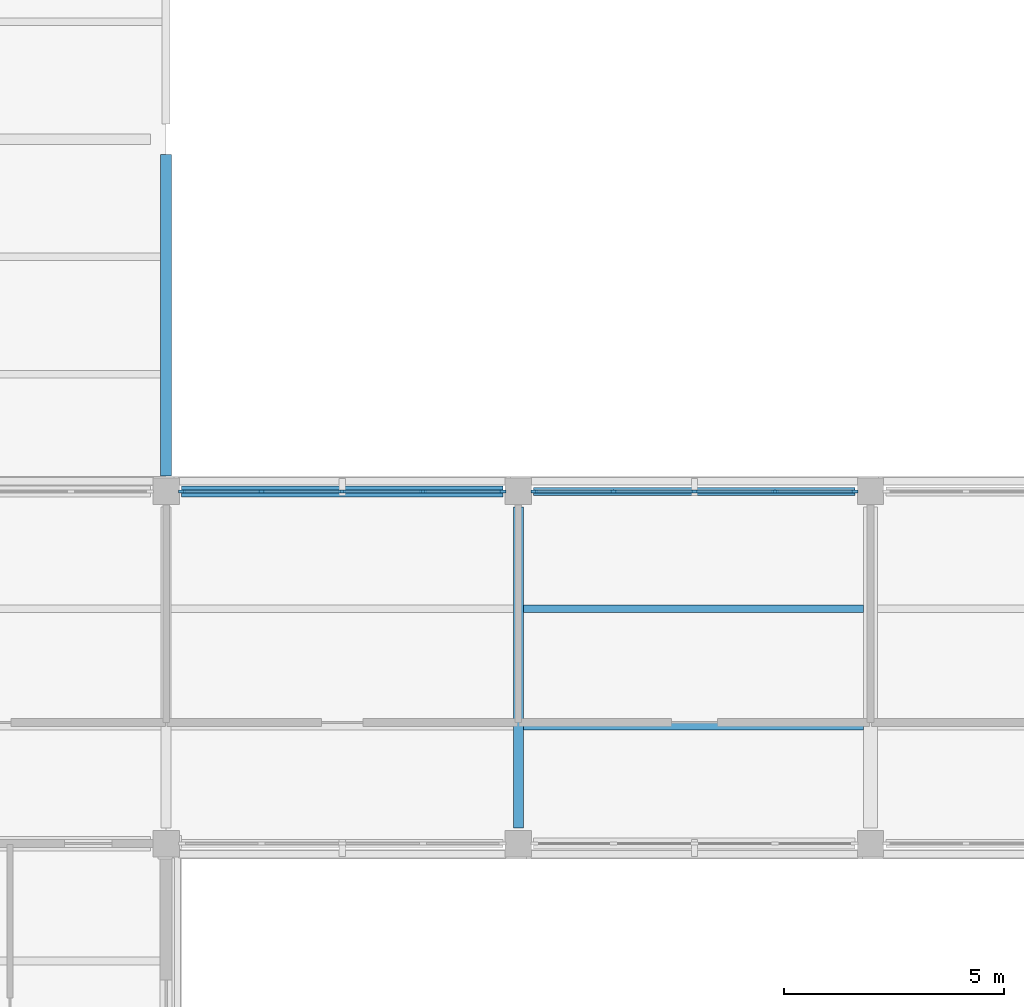
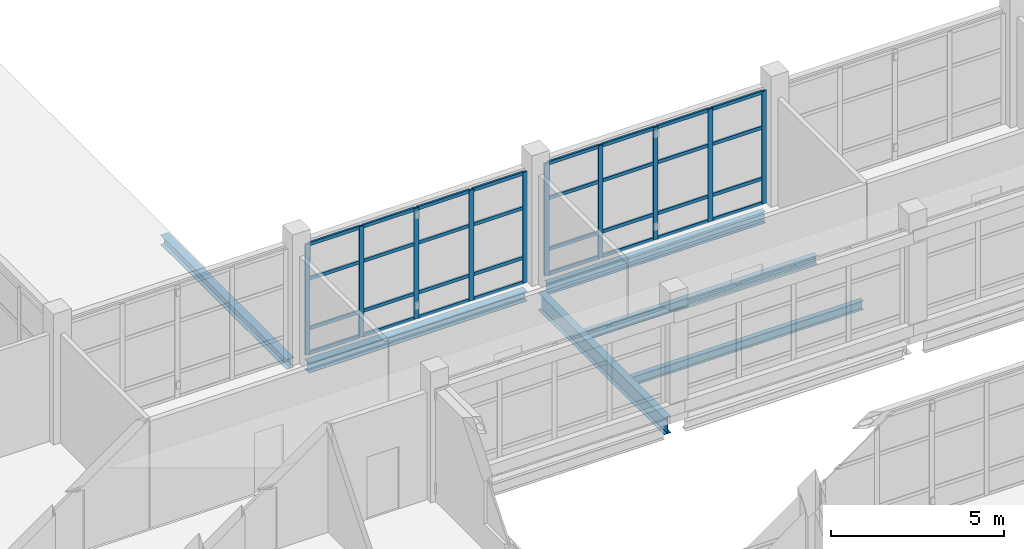
# One storey, part 17 of 121: 42 members, 6 beams, 2 elements without a shape of their own.
"""IFC4 building model written with IfcOpenShell, lengths in metres."""

from ifc_helpers import new_model, si_unit, derived_unit, direction, frame, origin, origin_2d, place, context, subcontext, project, spatial, rectangle, i_section, extrude, material, layer, layer_set, material_profile, profile_set, type_object, element, aggregate, save


model = new_model("IFC4")

# Units and contexts
model_context = context("Model", 3, precision=1e-05, world=origin(), true_north=direction((0.0, 1.0)))
body_context = subcontext(model_context, "Body", "Model", "MODEL_VIEW")
ifc_project = project(units=[si_unit("LENGTHUNIT", "METRE"), si_unit("AREAUNIT", "SQUARE_METRE"), si_unit("VOLUMEUNIT", "CUBIC_METRE"), si_unit("PLANEANGLEUNIT", "RADIAN"), si_unit("MASSUNIT", "GRAM", prefix="KILO"), derived_unit("THERMALTRANSMITTANCEUNIT", [(si_unit("MASSUNIT", "GRAM", prefix="KILO"), 1), (si_unit("TIMEUNIT", "SECOND"), -3), (si_unit("THERMODYNAMICTEMPERATUREUNIT", "KELVIN"), -1)])], contexts=[model_context])

# Site, building, storey
site_placement = place(None, origin())
site = spatial("IfcSite", under=ifc_project, at=site_placement, CompositionType="ELEMENT")
building_placement = place(site_placement, origin())
building = spatial("IfcBuilding", under=site, at=building_placement, Name="Veyamyaing Civic Hall", CompositionType="ELEMENT")
storey_placement = place(building_placement, frame((0.0, 0.0, 5.280029296875)))
storey = spatial("IfcBuildingStorey", under=building, at=storey_placement, Name="L01", CompositionType="ELEMENT", Elevation=5.280029296875)

# Beams
ifc_material_1 = material(Name="Steel ASTM A992", Category="steel")
ifc_material_profile_1 = material_profile(ifc_material_1, i_section(OverallWidth=0.22802734375, OverallDepth=0.60791015625, WebThickness=0.01123046875, FlangeThickness=0.017333984375, FilletRadius=0.012939453125, at=origin_2d()), Name="W610X113")
ifc_profile_set_1 = profile_set([ifc_material_profile_1], Name="Steel ASTM A992")
beam_type_1 = type_object("IfcBeamType", Name="B-06", PredefinedType="BEAM", material=ifc_profile_set_1)
beam_1_placement = place(storey_placement, frame((24.0, 48.35009765625, -0.549072265625), z_axis=(0.0, 1.0, 0.0), x_axis=(-1.0, 0.0, 0.0)))
element("IfcBeam", 1, at=beam_1_placement, inside=storey, type_object=beam_type_1, Name="Girder B-06 L01 Grid 4 G-H", PredefinedType="BEAM", context=body_context, shape_type="SweptSolid", body=[
    extrude(i_section(OverallWidth=0.22802734375, OverallDepth=0.60791015625, WebThickness=0.01123046875, FlangeThickness=0.017333984375, FilletRadius=0.012939453125, at=origin_2d()), origin(), (0.0, 0.0, 1.0), 7.2998046875),
])
ifc_material_profile_2 = material_profile(ifc_material_1, i_section(OverallWidth=0.179931640625, OverallDepth=0.4130859375, WebThickness=0.009765625, FlangeThickness=0.01611328125, FilletRadius=0.010009765625, at=origin_2d()), Name="W410X74")
ifc_profile_set_2 = profile_set([ifc_material_profile_2], Name="Steel ASTM A992")
beam_type_2 = type_object("IfcBeamType", Name="B-10", PredefinedType="SPANDREL", material=ifc_profile_set_2)
beam_2_placement = place(storey_placement, frame((24.35009765625, 56.0, -0.451416015625), z_axis=(1.0, 0.0, 0.0), x_axis=(0.0, 1.0, 0.0)))
element("IfcBeam", 2, at=beam_2_placement, inside=storey, type_object=beam_type_2, Name="Girder B-10 L01 Grid H 4-5", PredefinedType="SPANDREL", context=body_context, shape_type="SweptSolid", body=[
    extrude(i_section(OverallWidth=0.179931640625, OverallDepth=0.4130859375, WebThickness=0.009765625, FlangeThickness=0.01611328125, FilletRadius=0.010009765625, at=origin_2d()), origin(), (0.0, 0.0, 1.0), 7.2998046875),
])
ifc_material_profile_3 = material_profile(ifc_material_1, i_section(OverallWidth=0.25390625, OverallDepth=0.35302734375, WebThickness=0.009521484375, FlangeThickness=0.016357421875, FilletRadius=0.011962890625, at=origin_2d()), Name="W360X91")
ifc_profile_set_3 = profile_set([ifc_material_profile_3], Name="Steel ASTM A992")
beam_type_3 = type_object("IfcBeamType", Name="B-20", PredefinedType="SPANDREL", material=ifc_profile_set_3)
for number, where, z_axis, x_axis, name in (
    (3, (16.35009765625, 56.0, -0.421630859375), (1.0, 0.0, 0.0), (0.0, 1.0, 0.0), "Girder B-20 L01 Grid H 3-4"),
    (4, (16.0, 56.35009765625, -0.41650390625), (0.0, 1.0, 0.0), (-1.0, 0.0, 0.0), "Girder B-20 L01 Grid 3 H-J"),
):
    element("IfcBeam", number, at=place(storey_placement, frame(where, z_axis=z_axis, x_axis=x_axis)), inside=storey, type_object=beam_type_3, Name=name, PredefinedType="SPANDREL", context=body_context, shape_type="SweptSolid", body=[
        extrude(i_section(OverallWidth=0.25390625, OverallDepth=0.35302734375, WebThickness=0.009521484375, FlangeThickness=0.016357421875, FilletRadius=0.011962890625, at=origin_2d()), origin(), (0.0, 0.0, 1.0), 7.2998046875),
    ])

# Curtain wall, members
ifc_material_2 = material(Name="Anodised aluminium 6063-T6", Category="aluminium")
ifc_layer = layer(ifc_material_2, 0.159912109375, Name="Anodised aluminium 6063-T6")
ifc_layer_set = layer_set([ifc_layer], Name="Anodised aluminium 6063-T6")
curtain_wall_type = type_object("IfcCurtainWallType", Name="CW-02", PredefinedType="NOTDEFINED", material=ifc_layer_set)
curtain_wall_1_placement = place(storey_placement, origin())
curtain_wall_1 = element("IfcCurtainWall", 5, at=curtain_wall_1_placement, inside=storey, type_object=curtain_wall_type, Name="Unitized curtain wall CW-02 L01 N 3.7", PredefinedType="NOTDEFINED")
ifc_material_profile_4 = material_profile(ifc_material_2, rectangle(XDim=0.06494140625, YDim=0.159912109375, at=origin_2d()), Name="ALU-MUL-65X160")
ifc_profile_set_4 = profile_set([ifc_material_profile_4], Name="Anodised aluminium 6063-T6")
member_type_1 = type_object("IfcMemberType", Name="CWM-01", PredefinedType="MULLION", material=ifc_profile_set_4)
member_1_placement = place(storey_placement, frame((16.362548828125, 56.0, 0.0), z_axis=(0.0, 0.0, 1.0), x_axis=(0.0, 1.0, 0.0)))
member_1 = element("IfcMember", 6, at=member_1_placement, type_object=member_type_1, Name="CW-02 mullion 1", PredefinedType="MULLION", context=body_context, shape_type="SweptSolid", body=[
    extrude(rectangle(XDim=0.06494140625, YDim=0.159912109375, at=origin_2d()), origin(), (0.0, 0.0, 1.0), 3.9140625),
])
member_2_placement = place(storey_placement, frame((18.1650390625, 56.0, 0.0), z_axis=(0.0, 0.0, 1.0), x_axis=(0.0, 1.0, 0.0)))
member_2 = element("IfcMember", 7, at=member_2_placement, type_object=member_type_1, Name="CW-02 mullion 2", PredefinedType="MULLION", context=body_context, shape_type="SweptSolid", body=[
    extrude(rectangle(XDim=0.06494140625, YDim=0.159912109375, at=origin_2d()), origin(), (0.0, 0.0, 1.0), 3.9140625),
])
member_3_placement = place(storey_placement, frame((20.0, 56.0, 0.0), z_axis=(0.0, 0.0, 1.0), x_axis=(0.0, 1.0, 0.0)))
member_3 = element("IfcMember", 8, at=member_3_placement, type_object=member_type_1, Name="CW-02 mullion 3", PredefinedType="MULLION", context=body_context, shape_type="SweptSolid", body=[
    extrude(rectangle(XDim=0.06494140625, YDim=0.159912109375, at=origin_2d()), origin(), (0.0, 0.0, 1.0), 3.9140625),
])
member_4_placement = place(storey_placement, frame((21.8349609375, 56.0, 0.0), z_axis=(0.0, 0.0, 1.0), x_axis=(0.0, 1.0, 0.0)))
member_4 = element("IfcMember", 9, at=member_4_placement, type_object=member_type_1, Name="CW-02 mullion 4", PredefinedType="MULLION", context=body_context, shape_type="SweptSolid", body=[
    extrude(rectangle(XDim=0.06494140625, YDim=0.159912109375, at=origin_2d()), origin(), (0.0, 0.0, 1.0), 3.9140625),
])
member_5_placement = place(storey_placement, frame((23.637451171875, 56.0, 0.0), z_axis=(0.0, 0.0, 1.0), x_axis=(0.0, 1.0, 0.0)))
member_5 = element("IfcMember", 10, at=member_5_placement, type_object=member_type_1, Name="CW-02 mullion 5", PredefinedType="MULLION", context=body_context, shape_type="SweptSolid", body=[
    extrude(rectangle(XDim=0.06494140625, YDim=0.159912109375, at=origin_2d()), origin(), (0.0, 0.0, 1.0), 3.9140625),
])

curtain_wall_2_placement = place(storey_placement, origin())
curtain_wall_2 = element("IfcCurtainWall", 11, at=curtain_wall_2_placement, inside=storey, type_object=curtain_wall_type, Name="Unitized curtain wall CW-02 L01 N 4.7", PredefinedType="NOTDEFINED")
member_6_placement = place(storey_placement, frame((24.362548828125, 56.0, 0.0), z_axis=(0.0, 0.0, 1.0), x_axis=(0.0, 1.0, 0.0)))
member_6 = element("IfcMember", 12, at=member_6_placement, type_object=member_type_1, Name="CW-02 mullion 1", PredefinedType="MULLION", context=body_context, shape_type="SweptSolid", body=[
    extrude(rectangle(XDim=0.06494140625, YDim=0.159912109375, at=origin_2d()), origin(), (0.0, 0.0, 1.0), 3.97705078125),
])
member_7_placement = place(storey_placement, frame((26.1650390625, 56.0, 0.0), z_axis=(0.0, 0.0, 1.0), x_axis=(0.0, 1.0, 0.0)))
member_7 = element("IfcMember", 13, at=member_7_placement, type_object=member_type_1, Name="CW-02 mullion 2", PredefinedType="MULLION", context=body_context, shape_type="SweptSolid", body=[
    extrude(rectangle(XDim=0.06494140625, YDim=0.159912109375, at=origin_2d()), origin(), (0.0, 0.0, 1.0), 3.97705078125),
])
member_8_placement = place(storey_placement, frame((28.0, 56.0, 0.0), z_axis=(0.0, 0.0, 1.0), x_axis=(0.0, 1.0, 0.0)))
member_8 = element("IfcMember", 14, at=member_8_placement, type_object=member_type_1, Name="CW-02 mullion 3", PredefinedType="MULLION", context=body_context, shape_type="SweptSolid", body=[
    extrude(rectangle(XDim=0.06494140625, YDim=0.159912109375, at=origin_2d()), origin(), (0.0, 0.0, 1.0), 3.97705078125),
])
member_9_placement = place(storey_placement, frame((29.8349609375, 56.0, 0.0), z_axis=(0.0, 0.0, 1.0), x_axis=(0.0, 1.0, 0.0)))
member_9 = element("IfcMember", 15, at=member_9_placement, type_object=member_type_1, Name="CW-02 mullion 4", PredefinedType="MULLION", context=body_context, shape_type="SweptSolid", body=[
    extrude(rectangle(XDim=0.06494140625, YDim=0.159912109375, at=origin_2d()), origin(), (0.0, 0.0, 1.0), 3.97705078125),
])
member_10_placement = place(storey_placement, frame((31.637451171875, 56.0, 0.0), z_axis=(0.0, 0.0, 1.0), x_axis=(0.0, 1.0, 0.0)))
member_10 = element("IfcMember", 16, at=member_10_placement, type_object=member_type_1, Name="CW-02 mullion 5", PredefinedType="MULLION", context=body_context, shape_type="SweptSolid", body=[
    extrude(rectangle(XDim=0.06494140625, YDim=0.159912109375, at=origin_2d()), origin(), (0.0, 0.0, 1.0), 3.97705078125),
])

# Member
ifc_material_profile_5 = material_profile(ifc_material_2, rectangle(XDim=0.06494140625, YDim=0.1201171875, at=origin_2d()), Name="ALU-TRN-65X120")
ifc_profile_set_5 = profile_set([ifc_material_profile_5], Name="Anodised aluminium 6063-T6")
member_type_2 = type_object("IfcMemberType", Name="CWT-01", PredefinedType="USERDEFINED", material=ifc_profile_set_5)
member_11_placement = place(storey_placement, frame((16.39501953125, 56.0, 0.032470703125), z_axis=(1.0, 0.0, 0.0), x_axis=(0.0, 1.0, 0.0)))
member_11 = element("IfcMember", 17, at=member_11_placement, type_object=member_type_2, Name="CW-02 transom 1.1", ObjectType="TRANSOM", PredefinedType="USERDEFINED", context=body_context, shape_type="SweptSolid", body=[
    extrude(rectangle(XDim=0.06494140625, YDim=0.1201171875, at=origin_2d()), origin(), (0.0, 0.0, 1.0), 1.737548828125),
])

member_12_placement = place(storey_placement, frame((16.39501953125, 56.0, 0.89990234375), z_axis=(1.0, 0.0, 0.0), x_axis=(0.0, 1.0, 0.0)))
member_12 = element("IfcMember", 18, at=member_12_placement, type_object=member_type_2, Name="CW-02 transom 1.2", ObjectType="TRANSOM", PredefinedType="USERDEFINED", context=body_context, shape_type="SweptSolid", body=[
    extrude(rectangle(XDim=0.06494140625, YDim=0.1201171875, at=origin_2d()), origin(), (0.0, 0.0, 1.0), 1.737548828125),
])

member_13_placement = place(storey_placement, frame((16.39501953125, 56.0, 2.661376953125), z_axis=(1.0, 0.0, 0.0), x_axis=(0.0, 1.0, 0.0)))
member_13 = element("IfcMember", 19, at=member_13_placement, type_object=member_type_2, Name="CW-02 transom 1.3", ObjectType="TRANSOM", PredefinedType="USERDEFINED", context=body_context, shape_type="SweptSolid", body=[
    extrude(rectangle(XDim=0.06494140625, YDim=0.1201171875, at=origin_2d()), origin(), (0.0, 0.0, 1.0), 1.737548828125),
])

member_14_placement = place(storey_placement, frame((16.39501953125, 56.0, 3.881591796875), z_axis=(1.0, 0.0, 0.0), x_axis=(0.0, 1.0, 0.0)))
member_14 = element("IfcMember", 20, at=member_14_placement, type_object=member_type_2, Name="CW-02 transom 1.4", ObjectType="TRANSOM", PredefinedType="USERDEFINED", context=body_context, shape_type="SweptSolid", body=[
    extrude(rectangle(XDim=0.06494140625, YDim=0.1201171875, at=origin_2d()), origin(), (0.0, 0.0, 1.0), 1.737548828125),
])

member_15_placement = place(storey_placement, frame((18.197509765625, 56.0, 0.032470703125), z_axis=(1.0, 0.0, 0.0), x_axis=(0.0, 1.0, 0.0)))
member_15 = element("IfcMember", 21, at=member_15_placement, type_object=member_type_2, Name="CW-02 transom 2.1", ObjectType="TRANSOM", PredefinedType="USERDEFINED", context=body_context, shape_type="SweptSolid", body=[
    extrude(rectangle(XDim=0.06494140625, YDim=0.1201171875, at=origin_2d()), origin(), (0.0, 0.0, 1.0), 1.77001953125),
])

member_16_placement = place(storey_placement, frame((18.197509765625, 56.0, 0.89990234375), z_axis=(1.0, 0.0, 0.0), x_axis=(0.0, 1.0, 0.0)))
member_16 = element("IfcMember", 22, at=member_16_placement, type_object=member_type_2, Name="CW-02 transom 2.2", ObjectType="TRANSOM", PredefinedType="USERDEFINED", context=body_context, shape_type="SweptSolid", body=[
    extrude(rectangle(XDim=0.06494140625, YDim=0.1201171875, at=origin_2d()), origin(), (0.0, 0.0, 1.0), 1.77001953125),
])

member_17_placement = place(storey_placement, frame((18.197509765625, 56.0, 2.661376953125), z_axis=(1.0, 0.0, 0.0), x_axis=(0.0, 1.0, 0.0)))
member_17 = element("IfcMember", 23, at=member_17_placement, type_object=member_type_2, Name="CW-02 transom 2.3", ObjectType="TRANSOM", PredefinedType="USERDEFINED", context=body_context, shape_type="SweptSolid", body=[
    extrude(rectangle(XDim=0.06494140625, YDim=0.1201171875, at=origin_2d()), origin(), (0.0, 0.0, 1.0), 1.77001953125),
])

member_18_placement = place(storey_placement, frame((18.197509765625, 56.0, 3.881591796875), z_axis=(1.0, 0.0, 0.0), x_axis=(0.0, 1.0, 0.0)))
member_18 = element("IfcMember", 24, at=member_18_placement, type_object=member_type_2, Name="CW-02 transom 2.4", ObjectType="TRANSOM", PredefinedType="USERDEFINED", context=body_context, shape_type="SweptSolid", body=[
    extrude(rectangle(XDim=0.06494140625, YDim=0.1201171875, at=origin_2d()), origin(), (0.0, 0.0, 1.0), 1.77001953125),
])

member_19_placement = place(storey_placement, frame((20.032470703125, 56.0, 0.032470703125), z_axis=(1.0, 0.0, 0.0), x_axis=(0.0, 1.0, 0.0)))
member_19 = element("IfcMember", 25, at=member_19_placement, type_object=member_type_2, Name="CW-02 transom 3.1", ObjectType="TRANSOM", PredefinedType="USERDEFINED", context=body_context, shape_type="SweptSolid", body=[
    extrude(rectangle(XDim=0.06494140625, YDim=0.1201171875, at=origin_2d()), origin(), (0.0, 0.0, 1.0), 1.77001953125),
])

member_20_placement = place(storey_placement, frame((20.032470703125, 56.0, 0.89990234375), z_axis=(1.0, 0.0, 0.0), x_axis=(0.0, 1.0, 0.0)))
member_20 = element("IfcMember", 26, at=member_20_placement, type_object=member_type_2, Name="CW-02 transom 3.2", ObjectType="TRANSOM", PredefinedType="USERDEFINED", context=body_context, shape_type="SweptSolid", body=[
    extrude(rectangle(XDim=0.06494140625, YDim=0.1201171875, at=origin_2d()), origin(), (0.0, 0.0, 1.0), 1.77001953125),
])

member_21_placement = place(storey_placement, frame((20.032470703125, 56.0, 2.661376953125), z_axis=(1.0, 0.0, 0.0), x_axis=(0.0, 1.0, 0.0)))
member_21 = element("IfcMember", 27, at=member_21_placement, type_object=member_type_2, Name="CW-02 transom 3.3", ObjectType="TRANSOM", PredefinedType="USERDEFINED", context=body_context, shape_type="SweptSolid", body=[
    extrude(rectangle(XDim=0.06494140625, YDim=0.1201171875, at=origin_2d()), origin(), (0.0, 0.0, 1.0), 1.77001953125),
])

member_22_placement = place(storey_placement, frame((20.032470703125, 56.0, 3.881591796875), z_axis=(1.0, 0.0, 0.0), x_axis=(0.0, 1.0, 0.0)))
member_22 = element("IfcMember", 28, at=member_22_placement, type_object=member_type_2, Name="CW-02 transom 3.4", ObjectType="TRANSOM", PredefinedType="USERDEFINED", context=body_context, shape_type="SweptSolid", body=[
    extrude(rectangle(XDim=0.06494140625, YDim=0.1201171875, at=origin_2d()), origin(), (0.0, 0.0, 1.0), 1.77001953125),
])

member_23_placement = place(storey_placement, frame((21.867431640625, 56.0, 0.032470703125), z_axis=(1.0, 0.0, 0.0), x_axis=(0.0, 1.0, 0.0)))
member_23 = element("IfcMember", 29, at=member_23_placement, type_object=member_type_2, Name="CW-02 transom 4.1", ObjectType="TRANSOM", PredefinedType="USERDEFINED", context=body_context, shape_type="SweptSolid", body=[
    extrude(rectangle(XDim=0.06494140625, YDim=0.1201171875, at=origin_2d()), origin(), (0.0, 0.0, 1.0), 1.737548828125),
])

member_24_placement = place(storey_placement, frame((21.867431640625, 56.0, 0.89990234375), z_axis=(1.0, 0.0, 0.0), x_axis=(0.0, 1.0, 0.0)))
member_24 = element("IfcMember", 30, at=member_24_placement, type_object=member_type_2, Name="CW-02 transom 4.2", ObjectType="TRANSOM", PredefinedType="USERDEFINED", context=body_context, shape_type="SweptSolid", body=[
    extrude(rectangle(XDim=0.06494140625, YDim=0.1201171875, at=origin_2d()), origin(), (0.0, 0.0, 1.0), 1.737548828125),
])

member_25_placement = place(storey_placement, frame((21.867431640625, 56.0, 2.661376953125), z_axis=(1.0, 0.0, 0.0), x_axis=(0.0, 1.0, 0.0)))
member_25 = element("IfcMember", 31, at=member_25_placement, type_object=member_type_2, Name="CW-02 transom 4.3", ObjectType="TRANSOM", PredefinedType="USERDEFINED", context=body_context, shape_type="SweptSolid", body=[
    extrude(rectangle(XDim=0.06494140625, YDim=0.1201171875, at=origin_2d()), origin(), (0.0, 0.0, 1.0), 1.737548828125),
])

member_26_placement = place(storey_placement, frame((21.867431640625, 56.0, 3.881591796875), z_axis=(1.0, 0.0, 0.0), x_axis=(0.0, 1.0, 0.0)))
member_26 = element("IfcMember", 32, at=member_26_placement, type_object=member_type_2, Name="CW-02 transom 4.4", ObjectType="TRANSOM", PredefinedType="USERDEFINED", context=body_context, shape_type="SweptSolid", body=[
    extrude(rectangle(XDim=0.06494140625, YDim=0.1201171875, at=origin_2d()), origin(), (0.0, 0.0, 1.0), 1.737548828125),
])

aggregate(curtain_wall_1, [member_1, member_2, member_3, member_4, member_5, member_11, member_12, member_13, member_14, member_15, member_16, member_17, member_18, member_19, member_20, member_21, member_22, member_23, member_24, member_25, member_26])

member_27_placement = place(storey_placement, frame((24.39501953125, 56.0, 0.032470703125), z_axis=(1.0, 0.0, 0.0), x_axis=(0.0, 1.0, 0.0)))
member_27 = element("IfcMember", 33, at=member_27_placement, type_object=member_type_2, Name="CW-02 transom 1.1", ObjectType="TRANSOM", PredefinedType="USERDEFINED", context=body_context, shape_type="SweptSolid", body=[
    extrude(rectangle(XDim=0.06494140625, YDim=0.1201171875, at=origin_2d()), origin(), (0.0, 0.0, 1.0), 1.737548828125),
])

member_28_placement = place(storey_placement, frame((24.39501953125, 56.0, 0.89990234375), z_axis=(1.0, 0.0, 0.0), x_axis=(0.0, 1.0, 0.0)))
member_28 = element("IfcMember", 34, at=member_28_placement, type_object=member_type_2, Name="CW-02 transom 1.2", ObjectType="TRANSOM", PredefinedType="USERDEFINED", context=body_context, shape_type="SweptSolid", body=[
    extrude(rectangle(XDim=0.06494140625, YDim=0.1201171875, at=origin_2d()), origin(), (0.0, 0.0, 1.0), 1.737548828125),
])

member_29_placement = place(storey_placement, frame((24.39501953125, 56.0, 2.704345703125), z_axis=(1.0, 0.0, 0.0), x_axis=(0.0, 1.0, 0.0)))
member_29 = element("IfcMember", 35, at=member_29_placement, type_object=member_type_2, Name="CW-02 transom 1.3", ObjectType="TRANSOM", PredefinedType="USERDEFINED", context=body_context, shape_type="SweptSolid", body=[
    extrude(rectangle(XDim=0.06494140625, YDim=0.1201171875, at=origin_2d()), origin(), (0.0, 0.0, 1.0), 1.737548828125),
])

member_30_placement = place(storey_placement, frame((24.39501953125, 56.0, 3.944580078125), z_axis=(1.0, 0.0, 0.0), x_axis=(0.0, 1.0, 0.0)))
member_30 = element("IfcMember", 36, at=member_30_placement, type_object=member_type_2, Name="CW-02 transom 1.4", ObjectType="TRANSOM", PredefinedType="USERDEFINED", context=body_context, shape_type="SweptSolid", body=[
    extrude(rectangle(XDim=0.06494140625, YDim=0.1201171875, at=origin_2d()), origin(), (0.0, 0.0, 1.0), 1.737548828125),
])

member_31_placement = place(storey_placement, frame((26.197509765625, 56.0, 0.032470703125), z_axis=(1.0, 0.0, 0.0), x_axis=(0.0, 1.0, 0.0)))
member_31 = element("IfcMember", 37, at=member_31_placement, type_object=member_type_2, Name="CW-02 transom 2.1", ObjectType="TRANSOM", PredefinedType="USERDEFINED", context=body_context, shape_type="SweptSolid", body=[
    extrude(rectangle(XDim=0.06494140625, YDim=0.1201171875, at=origin_2d()), origin(), (0.0, 0.0, 1.0), 1.77001953125),
])

member_32_placement = place(storey_placement, frame((26.197509765625, 56.0, 0.89990234375), z_axis=(1.0, 0.0, 0.0), x_axis=(0.0, 1.0, 0.0)))
member_32 = element("IfcMember", 38, at=member_32_placement, type_object=member_type_2, Name="CW-02 transom 2.2", ObjectType="TRANSOM", PredefinedType="USERDEFINED", context=body_context, shape_type="SweptSolid", body=[
    extrude(rectangle(XDim=0.06494140625, YDim=0.1201171875, at=origin_2d()), origin(), (0.0, 0.0, 1.0), 1.77001953125),
])

member_33_placement = place(storey_placement, frame((26.197509765625, 56.0, 2.704345703125), z_axis=(1.0, 0.0, 0.0), x_axis=(0.0, 1.0, 0.0)))
member_33 = element("IfcMember", 39, at=member_33_placement, type_object=member_type_2, Name="CW-02 transom 2.3", ObjectType="TRANSOM", PredefinedType="USERDEFINED", context=body_context, shape_type="SweptSolid", body=[
    extrude(rectangle(XDim=0.06494140625, YDim=0.1201171875, at=origin_2d()), origin(), (0.0, 0.0, 1.0), 1.77001953125),
])

member_34_placement = place(storey_placement, frame((26.197509765625, 56.0, 3.944580078125), z_axis=(1.0, 0.0, 0.0), x_axis=(0.0, 1.0, 0.0)))
member_34 = element("IfcMember", 40, at=member_34_placement, type_object=member_type_2, Name="CW-02 transom 2.4", ObjectType="TRANSOM", PredefinedType="USERDEFINED", context=body_context, shape_type="SweptSolid", body=[
    extrude(rectangle(XDim=0.06494140625, YDim=0.1201171875, at=origin_2d()), origin(), (0.0, 0.0, 1.0), 1.77001953125),
])

member_35_placement = place(storey_placement, frame((28.032470703125, 56.0, 0.032470703125), z_axis=(1.0, 0.0, 0.0), x_axis=(0.0, 1.0, 0.0)))
member_35 = element("IfcMember", 41, at=member_35_placement, type_object=member_type_2, Name="CW-02 transom 3.1", ObjectType="TRANSOM", PredefinedType="USERDEFINED", context=body_context, shape_type="SweptSolid", body=[
    extrude(rectangle(XDim=0.06494140625, YDim=0.1201171875, at=origin_2d()), origin(), (0.0, 0.0, 1.0), 1.77001953125),
])

member_36_placement = place(storey_placement, frame((28.032470703125, 56.0, 0.89990234375), z_axis=(1.0, 0.0, 0.0), x_axis=(0.0, 1.0, 0.0)))
member_36 = element("IfcMember", 42, at=member_36_placement, type_object=member_type_2, Name="CW-02 transom 3.2", ObjectType="TRANSOM", PredefinedType="USERDEFINED", context=body_context, shape_type="SweptSolid", body=[
    extrude(rectangle(XDim=0.06494140625, YDim=0.1201171875, at=origin_2d()), origin(), (0.0, 0.0, 1.0), 1.77001953125),
])

member_37_placement = place(storey_placement, frame((28.032470703125, 56.0, 2.704345703125), z_axis=(1.0, 0.0, 0.0), x_axis=(0.0, 1.0, 0.0)))
member_37 = element("IfcMember", 43, at=member_37_placement, type_object=member_type_2, Name="CW-02 transom 3.3", ObjectType="TRANSOM", PredefinedType="USERDEFINED", context=body_context, shape_type="SweptSolid", body=[
    extrude(rectangle(XDim=0.06494140625, YDim=0.1201171875, at=origin_2d()), origin(), (0.0, 0.0, 1.0), 1.77001953125),
])

member_38_placement = place(storey_placement, frame((28.032470703125, 56.0, 3.944580078125), z_axis=(1.0, 0.0, 0.0), x_axis=(0.0, 1.0, 0.0)))
member_38 = element("IfcMember", 44, at=member_38_placement, type_object=member_type_2, Name="CW-02 transom 3.4", ObjectType="TRANSOM", PredefinedType="USERDEFINED", context=body_context, shape_type="SweptSolid", body=[
    extrude(rectangle(XDim=0.06494140625, YDim=0.1201171875, at=origin_2d()), origin(), (0.0, 0.0, 1.0), 1.77001953125),
])

member_39_placement = place(storey_placement, frame((29.867431640625, 56.0, 0.032470703125), z_axis=(1.0, 0.0, 0.0), x_axis=(0.0, 1.0, 0.0)))
member_39 = element("IfcMember", 45, at=member_39_placement, type_object=member_type_2, Name="CW-02 transom 4.1", ObjectType="TRANSOM", PredefinedType="USERDEFINED", context=body_context, shape_type="SweptSolid", body=[
    extrude(rectangle(XDim=0.06494140625, YDim=0.1201171875, at=origin_2d()), origin(), (0.0, 0.0, 1.0), 1.737548828125),
])

member_40_placement = place(storey_placement, frame((29.867431640625, 56.0, 0.89990234375), z_axis=(1.0, 0.0, 0.0), x_axis=(0.0, 1.0, 0.0)))
member_40 = element("IfcMember", 46, at=member_40_placement, type_object=member_type_2, Name="CW-02 transom 4.2", ObjectType="TRANSOM", PredefinedType="USERDEFINED", context=body_context, shape_type="SweptSolid", body=[
    extrude(rectangle(XDim=0.06494140625, YDim=0.1201171875, at=origin_2d()), origin(), (0.0, 0.0, 1.0), 1.737548828125),
])

member_41_placement = place(storey_placement, frame((29.867431640625, 56.0, 2.704345703125), z_axis=(1.0, 0.0, 0.0), x_axis=(0.0, 1.0, 0.0)))
member_41 = element("IfcMember", 47, at=member_41_placement, type_object=member_type_2, Name="CW-02 transom 4.3", ObjectType="TRANSOM", PredefinedType="USERDEFINED", context=body_context, shape_type="SweptSolid", body=[
    extrude(rectangle(XDim=0.06494140625, YDim=0.1201171875, at=origin_2d()), origin(), (0.0, 0.0, 1.0), 1.737548828125),
])

member_42_placement = place(storey_placement, frame((29.867431640625, 56.0, 3.944580078125), z_axis=(1.0, 0.0, 0.0), x_axis=(0.0, 1.0, 0.0)))
member_42 = element("IfcMember", 48, at=member_42_placement, type_object=member_type_2, Name="CW-02 transom 4.4", ObjectType="TRANSOM", PredefinedType="USERDEFINED", context=body_context, shape_type="SweptSolid", body=[
    extrude(rectangle(XDim=0.06494140625, YDim=0.1201171875, at=origin_2d()), origin(), (0.0, 0.0, 1.0), 1.737548828125),
])

aggregate(curtain_wall_2, [member_6, member_7, member_8, member_9, member_10, member_27, member_28, member_29, member_30, member_31, member_32, member_33, member_34, member_35, member_36, member_37, member_38, member_39, member_40, member_41, member_42])

# Beams
ifc_material_profile_6 = material_profile(ifc_material_1, i_section(OverallWidth=0.1669921875, OverallDepth=0.318115234375, WebThickness=0.007568359375, FlangeThickness=0.01318359375, FilletRadius=0.010009765625, at=origin_2d()), Name="W310X52")
ifc_profile_set_6 = profile_set([ifc_material_profile_6], Name="Steel ASTM A992")
beam_type_4 = type_object("IfcBeamType", Name="J-04", PredefinedType="JOIST", material=ifc_profile_set_6)
for number, where, z_axis, x_axis, name in (
    (49, (24.112060546875, 50.666748046875, -0.404052734375), (1.0, 0.0, 0.0), (0.0, 1.0, 0.0), "Composite floor joist J-04 L01 4.7.1"),
    (50, (24.112060546875, 53.333251953125, -0.404052734375), (1.0, 0.0, 0.0), (0.0, 1.0, 0.0), "Composite floor joist J-04 L01 4.7.2"),
):
    element("IfcBeam", number, at=place(storey_placement, frame(where, z_axis=z_axis, x_axis=x_axis)), inside=storey, type_object=beam_type_4, Name=name, PredefinedType="JOIST", context=body_context, shape_type="SweptSolid", body=[
        extrude(i_section(OverallWidth=0.1669921875, OverallDepth=0.318115234375, WebThickness=0.007568359375, FlangeThickness=0.01318359375, FilletRadius=0.010009765625, at=origin_2d()), origin(), (0.0, 0.0, 1.0), 7.7275390625),
    ])

save(model, "model.ifc")
